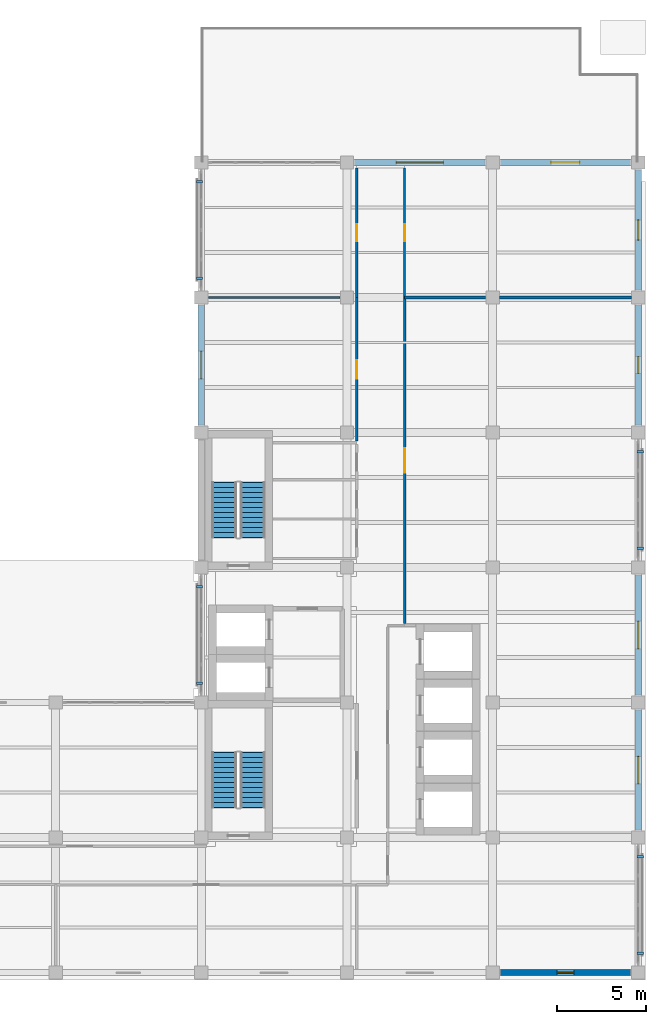
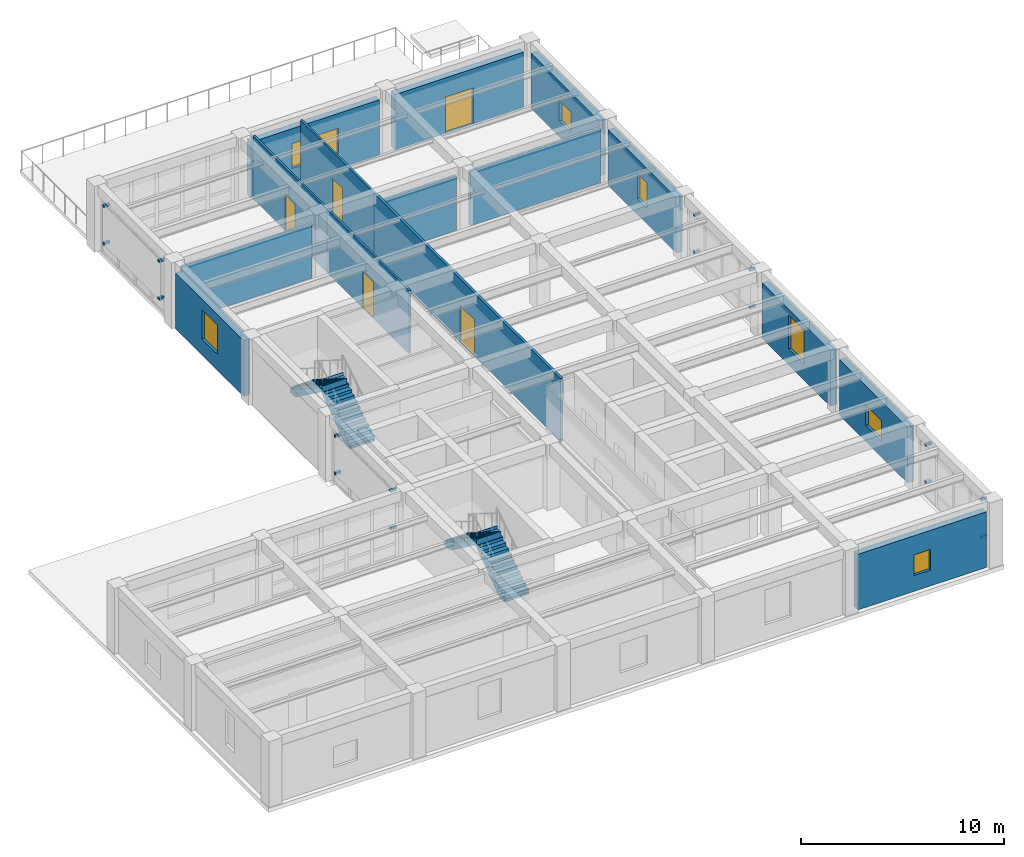
# One storey, part 8 of 12: 16 discrete accessories, 15 walls, 7 windows, 5 doors, 4 stair flights, 12 openings, 2 elements without a shape of their own.
"""IFC4 building model written with IfcOpenShell, lengths in metres."""

import ifcopenshell
import ifcopenshell.guid

model = None  # the IFC model being written
_history = None  # IfcOwnerHistory: only IFC2X3 demands one
_inside = {}  # id of a spatial element -> (the spatial element, [elements in it])
_under = {}  # id of a project, library or spatial element -> (it, [spatial elements below it])
_declared = {}  # id of a project -> (the project, [libraries it declares])
_typed = {}  # id of a type object -> (the type object, [elements of that type])
_made_of = {}  # id of a material, layer set ... -> (it, [elements and type objects made of it])


def new_model(schema):
    """Start an empty IFC model of exactly this schema.

    Asked for "IFC4X3", IfcOpenShell would pick the latest addendum, in which some entities
    have other attributes; the version numbers below select the first issue.
    IFC2X3 requires an IfcOwnerHistory on every rooted entity: one is made here for all.
    """
    global model, _history
    if schema == "IFC4X3":
        model = ifcopenshell.file(schema_version=(4, 3, 0, 0))
    else:
        model = ifcopenshell.file(schema=schema)
    _inside.clear()
    _under.clear()
    _declared.clear()
    _typed.clear()
    _made_of.clear()
    _history = None
    if model.schema == "IFC2X3":
        org = make("IfcOrganization", Name="unknown")
        user = make(
            "IfcPersonAndOrganization",
            ThePerson=make("IfcPerson", FamilyName="unknown"),
            TheOrganization=org,
        )
        app = make(
            "IfcApplication",
            ApplicationDeveloper=org,
            Version="unknown",
            ApplicationFullName="unknown",
            ApplicationIdentifier="unknown",
        )
        _history = make(
            "IfcOwnerHistory",
            OwningUser=user,
            OwningApplication=app,
            ChangeAction="ADDED",
            CreationDate=0,
        )
    return model


def make(cls, **values):
    """One entity of the class cls with the attributes given. An attribute that is None is left unset."""
    return model.create_entity(
        cls, **{name: value for name, value in values.items() if value is not None}
    )


def rooted(cls, **values):
    """An entity with a GlobalId (a new one), such as an element, a storey or a relation."""
    return make(cls, GlobalId=ifcopenshell.guid.new(), OwnerHistory=_history, **values)


def si_unit(unit_type, name, prefix=None):
    """IfcSIUnit, for example si_unit("LENGTHUNIT", "METRE", prefix="MILLI")."""
    return make("IfcSIUnit", UnitType=unit_type, Prefix=prefix, Name=name)


def assignment(units):
    """IfcUnitAssignment: the units of a project."""
    return None if units is None else make("IfcUnitAssignment", Units=units)


def point(xyz):
    """IfcCartesianPoint."""
    return None if xyz is None else make("IfcCartesianPoint", Coordinates=xyz)


def direction(xyz):
    """IfcDirection."""
    return None if xyz is None else make("IfcDirection", DirectionRatios=xyz)


def frame(location, z_axis=None, x_axis=None):
    """IfcAxis2Placement3D, a coordinate frame: its origin and axes. An axis left out is left unset."""
    return make(
        "IfcAxis2Placement3D",
        Location=point(location),
        Axis=direction(z_axis),
        RefDirection=direction(x_axis),
    )


def frame_2d(location, x_axis=None):
    """IfcAxis2Placement2D, a coordinate frame in the plane: its origin and x axis."""
    return make(
        "IfcAxis2Placement2D", Location=point(location), RefDirection=direction(x_axis)
    )


def origin():
    """The frame at (0, 0, 0) with its axes left unset."""
    return frame((0.0, 0.0, 0.0))


def origin_2d():
    """The frame at (0, 0) in the plane with its x axis left unset."""
    return frame_2d((0.0, 0.0))


def place(relative_to, where):
    """IfcLocalPlacement: puts the frame where relative to a parent placement (None: the world)."""
    return make(
        "IfcLocalPlacement", PlacementRelTo=relative_to, RelativePlacement=where
    )


def context(
    kind, dimensions, precision=None, world=None, true_north=None, identifier=None
):
    """IfcGeometricRepresentationContext, for example the 3D "Model" context."""
    return make(
        "IfcGeometricRepresentationContext",
        ContextIdentifier=identifier,
        ContextType=kind,
        CoordinateSpaceDimension=dimensions,
        Precision=precision,
        WorldCoordinateSystem=world,
        TrueNorth=true_north,
    )


def subcontext(parent, identifier, kind, view, scale=None):
    """IfcGeometricRepresentationSubContext, for example "Body" below "Model"."""
    return make(
        "IfcGeometricRepresentationSubContext",
        ContextIdentifier=identifier,
        ContextType=kind,
        ParentContext=parent,
        TargetScale=scale,
        TargetView=view,
    )


def project(units=None, contexts=None):
    """IfcProject with its units and contexts."""
    return rooted(
        "IfcProject",
        Name="project",
        RepresentationContexts=contexts,
        UnitsInContext=assignment(units),
    )


def spatial(cls, under=None, at=None, **own):
    """A site, building, storey or space (cls), placed at a placement, below another one or the project."""
    s = rooted(cls, ObjectPlacement=at, **own)
    if under is not None:
        _under.setdefault(under.id(), (under, []))[1].append(s)
    return s


def polyline(points):
    """IfcPolyline through the points."""
    return make("IfcPolyline", Points=[point(p) for p in points])


def profile(cls, at=None, kind="AREA", **sizes):
    """A parametric profile (cls). Its sizes go by their IFC names, for example OverallWidth=200.0."""
    return make(cls, ProfileType=kind, Position=at, **sizes)


def rectangle(**sizes):
    """IfcRectangleProfileDef."""
    return profile("IfcRectangleProfileDef", **sizes)


def outline(outer, holes=None, kind="AREA"):
    """IfcArbitraryClosedProfileDef: a profile drawn as a closed curve; with holes, ...WithVoids."""
    if holes is None:
        return make("IfcArbitraryClosedProfileDef", ProfileType=kind, OuterCurve=outer)
    return make(
        "IfcArbitraryProfileDefWithVoids",
        ProfileType=kind,
        OuterCurve=outer,
        InnerCurves=holes,
    )


def extrude(swept, where, along, depth):
    """IfcExtrudedAreaSolid: the profile swept, set in the frame where, extruded along a direction by depth."""
    return make(
        "IfcExtrudedAreaSolid",
        SweptArea=swept,
        Position=where,
        ExtrudedDirection=direction(along),
        Depth=depth,
    )


def shape(context_of_items, identifier, shape_type, items):
    """IfcShapeRepresentation: the items that make up one representation, for example the "Body"."""
    return make(
        "IfcShapeRepresentation",
        ContextOfItems=context_of_items,
        RepresentationIdentifier=identifier,
        RepresentationType=shape_type,
        Items=items,
    )


def material(Name=None, Category=None):
    """IfcMaterial."""
    return make("IfcMaterial", Name=Name, Category=Category)


def layer(
    of_material, thickness, ventilated=None, Name=None, Category=None, Priority=None
):
    """IfcMaterialLayer: one layer of a wall or slab, of a material (None: an air gap)."""
    return make(
        "IfcMaterialLayer",
        Material=of_material,
        LayerThickness=thickness,
        IsVentilated=ventilated,
        Name=Name,
        Category=Category,
        Priority=Priority,
    )


def layer_set(layers, Name=None):
    """IfcMaterialLayerSet."""
    return make("IfcMaterialLayerSet", MaterialLayers=layers, LayerSetName=Name)


def made_of(thing, what):
    """Note that an element or type object is made of a material, layer set ...; save() writes the relation."""
    if what is not None:
        _made_of.setdefault(what.id(), (what, []))[1].append(thing)
    return thing


def type_object(cls, material=None, **own):
    """A type object (cls), such as IfcWallType, which elements share."""
    return made_of(rooted(cls, **own), material)


def element(
    cls,
    number,
    at=None,
    inside=None,
    cuts=None,
    type_object=None,
    material=None,
    context=None,
    identifier="Body",
    shape_type=None,
    held_by="IfcProductDefinitionShape",
    body=None,
    shapes=None,
    **own,
):
    """One element of the class cls, such as IfcWall. Its Tag is "e" and its number.

    at: its placement. inside: the storey or other place that contains it. cuts: it is an
    opening in that element (IfcRelVoidsElement). A single representation is given by context,
    identifier, shape_type and body (its items); several are given by shapes. held_by: the class
    of the entity that holds the representations. save() writes the other relations.
    """
    e = rooted(cls, Tag="e%d" % number, ObjectPlacement=at, **own)
    if body is not None:
        shapes = [shape(context, identifier, shape_type, body)]
    if shapes is not None:
        e.Representation = make(held_by, Representations=shapes)
    if inside is not None:
        _inside.setdefault(inside.id(), (inside, []))[1].append(e)
    if cuts is not None:
        rooted(
            "IfcRelVoidsElement", RelatingBuildingElement=cuts, RelatedOpeningElement=e
        )
    if type_object is not None:
        _typed.setdefault(type_object.id(), (type_object, []))[1].append(e)
    return made_of(e, material)


def fill(opening, filler):
    """IfcRelFillsElement: the door or window that sits in an opening."""
    return rooted(
        "IfcRelFillsElement",
        RelatingOpeningElement=opening,
        RelatedBuildingElement=filler,
    )


def aggregate(whole, parts):
    """IfcRelAggregates: a whole, such as a stair, and the parts it consists of."""
    return rooted("IfcRelAggregates", RelatingObject=whole, RelatedObjects=parts)


def save(model, path):
    """Write the relations noted so far, then the file.

    IfcRelAggregates (storeys below a building ...), IfcRelContainedInSpatialStructure (elements
    in a storey), IfcRelDefinesByType, IfcRelAssociatesMaterial and IfcRelDeclares: one each for
    every whole, place, type object, material and project.
    """
    for whole, parts in _under.values():
        aggregate(whole, parts)
    for where, things in _inside.values():
        rooted(
            "IfcRelContainedInSpatialStructure",
            RelatedElements=things,
            RelatingStructure=where,
        )
    for kind, things in _typed.values():
        rooted("IfcRelDefinesByType", RelatedObjects=things, RelatingType=kind)
    for what, things in _made_of.values():
        rooted("IfcRelAssociatesMaterial", RelatedObjects=things, RelatingMaterial=what)
    for by, libraries in _declared.values():
        rooted("IfcRelDeclares", RelatingContext=by, RelatedDefinitions=libraries)
    model.write(path)


model = new_model("IFC4")

# Units and contexts
model_context = context("Model", 3, precision=1e-05, world=origin(), true_north=direction((0.0, 1.0)))
body_context = subcontext(model_context, "Body", "Model", "MODEL_VIEW")
ifc_project = project(units=[si_unit("LENGTHUNIT", "METRE"), si_unit("AREAUNIT", "SQUARE_METRE"), si_unit("VOLUMEUNIT", "CUBIC_METRE"), si_unit("PLANEANGLEUNIT", "RADIAN"), si_unit("MASSUNIT", "GRAM", prefix="KILO")], contexts=[model_context])

# Site, building, storey
site_placement = place(None, origin())
site = spatial("IfcSite", under=ifc_project, at=site_placement, CompositionType="ELEMENT")
building_placement = place(site_placement, origin())
building = spatial("IfcBuilding", under=site, at=building_placement, Name="Qandaris Square Conservatory and Botanical Centre", CompositionType="ELEMENT")
storey_placement = place(building_placement, frame((0.0, 0.0, 53.39990234375)))
storey = spatial("IfcBuildingStorey", under=building, at=storey_placement, Name="L12", CompositionType="ELEMENT", Elevation=53.39990234375)

# Wall, opening, door
ifc_material_1 = material(Name="Gypsum Plasterboard", Category="gypsum")
ifc_layer_1 = layer(ifc_material_1, 0.14990234375)
ifc_layer_set_1 = layer_set([ifc_layer_1], Name="Gypsum Plasterboard")
wall_type_1 = type_object("IfcWallType", Name="Acoustic Laboratory Partition 150mm", PredefinedType="PARTITIONING", material=ifc_layer_set_1)
wall_1_placement = place(storey_placement, frame((150.64990234375, 54.60009765625, 0.0), z_axis=(0.0, 0.0, 1.0), x_axis=(0.0, -1.0, 0.0)))
wall_1 = element("IfcWall", 1, at=wall_1_placement, inside=storey, type_object=wall_type_1, Name="Interior Partition IW-L12-0406", PredefinedType="PARTITIONING", context=body_context, shape_type="SweptSolid", body=[
    extrude(rectangle(XDim=18.35009765625, YDim=0.14990234375, at=frame_2d((9.175048828125, 0.0))), origin(), (0.0, 0.0, 1.0), 3.80517578125),
])
opening_1_placement = place(wall_1_placement, frame((8.47509765625, 0.0, 0.0)))
opening_1 = element("IfcOpeningElement", 2, at=opening_1_placement, cuts=wall_1, Name="Opening D-LAB1", PredefinedType="OPENING", context=body_context, shape_type="SweptSolid", body=[
    extrude(rectangle(XDim=1.39990234375, YDim=2.199951171875, at=frame_2d((0.699951171875, 1.10009765625))), frame((0.0, 0.0869140625, 0.0), z_axis=(0.0, -1.0, 0.0), x_axis=(1.0, 0.0, 0.0)), (0.0, 0.0, 1.0), 0.173828125),
])
ifc_material_2 = material(Name="Engineered Oak Timber", Category="wood")
door_type_1 = type_object("IfcDoorType", Name="Research Laboratory Leaf-and-Half Door 1400x2200", OperationType="DOUBLE_DOOR_SINGLE_SWING", PredefinedType="DOOR", material=ifc_material_2)
door_1_placement = place(opening_1_placement, frame((1.39990234375, 0.0, 0.0), z_axis=(0.0, 0.0, 1.0), x_axis=(-1.0, 0.0, 0.0)))
door_1 = element("IfcDoor", 3, at=door_1_placement, inside=storey, type_object=door_type_1, Name="DR-0363 Molecular Plant Biology Analytical Laboratory Door", OperationType="DOUBLE_DOOR_SINGLE_SWING", OverallHeight=2.199951171875, OverallWidth=1.39990234375, PredefinedType="DOOR", context=body_context, shape_type="SweptSolid", body=[
    extrude(rectangle(XDim=1.39990234375, YDim=2.199951171875, at=frame_2d((0.699951171875, 1.10009765625))), frame((0.0, 0.02490234375, 0.0), z_axis=(0.0, -1.0, 0.0), x_axis=(1.0, 0.0, 0.0)), (0.0, 0.0, 1.0), 0.050048828125),
])
fill(opening_1, door_1)

# Walls
wall_2_placement = place(storey_placement, frame((150.64990234375, 54.60009765625, 0.0), z_axis=(0.0, 0.0, 1.0), x_axis=(1.0, 0.0, 0.0)))
element("IfcWall", 4, at=wall_2_placement, inside=storey, type_object=wall_type_1, Name="Interior Partition IW-L12-0413", PredefinedType="PARTITIONING", context=body_context, shape_type="SweptSolid", body=[
    extrude(rectangle(XDim=4.55517578125, YDim=0.14990234375, at=frame_2d((2.277587890625, 0.0))), origin(), (0.0, 0.0, 1.0), 3.295166015625),
])
wall_3_placement = place(storey_placement, frame((155.9951171875, 54.60009765625, 0.0), z_axis=(0.0, 0.0, 1.0), x_axis=(1.0, 0.0, 0.0)))
element("IfcWall", 5, at=wall_3_placement, inside=storey, type_object=wall_type_1, Name="Interior Partition IW-L12-0414", PredefinedType="PARTITIONING", context=body_context, shape_type="SweptSolid", body=[
    extrude(rectangle(XDim=7.409912109375, YDim=0.14990234375, at=frame_2d((3.705078125, 0.0))), origin(), (0.0, 0.0, 1.0), 3.295166015625),
])

# Wall, opening, window
ifc_material_3 = material(Name="Precast concrete C40/50", Category="concrete")
ifc_layer_2 = layer(ifc_material_3, 0.360107421875)
ifc_layer_set_2 = layer_set([ifc_layer_2], Name="Precast concrete C40/50")
wall_type_2 = type_object("IfcWallType", Name="Architectural Precast Cladding Wall 360mm", PredefinedType="SOLIDWALL", material=ifc_layer_set_2)
wall_4_placement = place(storey_placement, frame((156.034912109375, 16.60009765625, 0.0), z_axis=(0.0, 0.0, 1.0), x_axis=(1.0, 0.0, 0.0)))
wall_4 = element("IfcWall", 6, at=wall_4_placement, inside=storey, type_object=wall_type_2, Name="Exterior Wall EW-TWR-L12-1-5", PredefinedType="SOLIDWALL", context=body_context, shape_type="SweptSolid", body=[
    extrude(rectangle(XDim=7.330078125, YDim=0.360107421875, at=frame_2d((3.6650390625, 0.0))), origin(), (0.0, 0.0, 1.0), 3.34521484375),
])
opening_2_placement = place(wall_4_placement, frame((3.18994140625, 0.0, 0.949951171875)))
opening_2 = element("IfcOpeningElement", 7, at=opening_2_placement, cuts=wall_4, Name="Opening WN-13", PredefinedType="OPENING", context=body_context, shape_type="SweptSolid", body=[
    extrude(rectangle(XDim=0.949951171875, YDim=1.25, at=frame_2d((0.47509765625, 0.625))), frame((0.0, 0.19189453125, 0.0), z_axis=(0.0, -1.0, 0.0), x_axis=(1.0, 0.0, 0.0)), (0.0, 0.0, 1.0), 0.384033203125),
])
ifc_material_4 = material(Name="Tempered Low-E Glass", Category="glass")
window_type_1 = type_object("IfcWindowType", Name="Solar Control Window 950x1250", PartitioningType="SINGLE_PANEL", PredefinedType="WINDOW", material=ifc_material_4)
window_1_placement = place(opening_2_placement, origin())
window_1 = element("IfcWindow", 8, at=window_1_placement, inside=storey, type_object=window_type_1, Name="Window EW-TWR-L12-1-5", OverallHeight=1.25, OverallWidth=0.949951171875, PartitioningType="SINGLE_PANEL", PredefinedType="WINDOW", context=body_context, shape_type="SweptSolid", body=[
    extrude(rectangle(XDim=0.949951171875, YDim=1.25, at=frame_2d((0.47509765625, 0.625))), frame((0.0, 0.030029296875, 0.0), z_axis=(0.0, -1.0, 0.0), x_axis=(1.0, 0.0, 0.0)), (0.0, 0.0, 1.0), 0.06005859375),
])
fill(opening_2, window_1)

wall_5_placement = place(storey_placement, frame((163.800048828125, 24.635009765625, 0.0), z_axis=(0.0, 0.0, 1.0), x_axis=(0.0, 1.0, 0.0)))
wall_5 = element("IfcWall", 9, at=wall_5_placement, inside=storey, type_object=wall_type_2, Name="Exterior Wall EW-TWR-L12-2-2", PredefinedType="SOLIDWALL", context=body_context, shape_type="SweptSolid", body=[
    extrude(rectangle(XDim=6.72998046875, YDim=0.360107421875, at=frame_2d((3.364990234375, 0.0))), origin(), (0.0, 0.0, 1.0), 3.34521484375),
])
opening_3_placement = place(wall_5_placement, frame((2.590087890625, 0.0, 0.949951171875)))
opening_3 = element("IfcOpeningElement", 10, at=opening_3_placement, cuts=wall_5, Name="Opening WN-25", PredefinedType="OPENING", context=body_context, shape_type="SweptSolid", body=[
    extrude(rectangle(XDim=1.550048828125, YDim=1.25, at=frame_2d((0.77490234375, 0.625))), frame((0.0, 0.19189453125, 0.0), z_axis=(0.0, -1.0, 0.0), x_axis=(1.0, 0.0, 0.0)), (0.0, 0.0, 1.0), 0.384033203125),
])
window_type_2 = type_object("IfcWindowType", Name="Solar Control Window 1550x1250", PartitioningType="DOUBLE_PANEL_VERTICAL", PredefinedType="WINDOW", material=ifc_material_4)
window_2_placement = place(opening_3_placement, origin())
window_2 = element("IfcWindow", 11, at=window_2_placement, inside=storey, type_object=window_type_2, Name="Window EW-TWR-L12-2-2", OverallHeight=1.25, OverallWidth=1.550048828125, PartitioningType="DOUBLE_PANEL_VERTICAL", PredefinedType="WINDOW", context=body_context, shape_type="SweptSolid", body=[
    extrude(rectangle(XDim=1.550048828125, YDim=1.25, at=frame_2d((0.77490234375, 0.625))), frame((0.0, 0.030029296875, 0.0), z_axis=(0.0, -1.0, 0.0), x_axis=(1.0, 0.0, 0.0)), (0.0, 0.0, 1.0), 0.06005859375),
])
fill(opening_3, window_2)

wall_6_placement = place(storey_placement, frame((163.800048828125, 32.235107421875, 0.0), z_axis=(0.0, 0.0, 1.0), x_axis=(0.0, 1.0, 0.0)))
wall_6 = element("IfcWall", 12, at=wall_6_placement, inside=storey, type_object=wall_type_2, Name="Exterior Wall EW-TWR-L12-2-3", PredefinedType="SOLIDWALL", context=body_context, shape_type="SweptSolid", body=[
    extrude(rectangle(XDim=6.72998046875, YDim=0.360107421875, at=frame_2d((3.364990234375, 0.0))), origin(), (0.0, 0.0, 1.0), 3.34521484375),
])
opening_4_placement = place(wall_6_placement, frame((2.590087890625, 0.0, 0.949951171875)))
opening_4 = element("IfcOpeningElement", 13, at=opening_4_placement, cuts=wall_6, Name="Opening WN-28", PredefinedType="OPENING", context=body_context, shape_type="SweptSolid", body=[
    extrude(rectangle(XDim=1.550048828125, YDim=2.050048828125, at=frame_2d((0.77490234375, 1.02490234375))), frame((0.0, 0.19189453125, 0.0), z_axis=(0.0, -1.0, 0.0), x_axis=(1.0, 0.0, 0.0)), (0.0, 0.0, 1.0), 0.384033203125),
])
window_type_3 = type_object("IfcWindowType", Name="Solar Control Window 1550x2050", PartitioningType="DOUBLE_PANEL_VERTICAL", PredefinedType="WINDOW", material=ifc_material_4)
window_3_placement = place(opening_4_placement, origin())
window_3 = element("IfcWindow", 14, at=window_3_placement, inside=storey, type_object=window_type_3, Name="Window EW-TWR-L12-2-3", OverallHeight=2.050048828125, OverallWidth=1.550048828125, PartitioningType="DOUBLE_PANEL_VERTICAL", PredefinedType="WINDOW", context=body_context, shape_type="SweptSolid", body=[
    extrude(rectangle(XDim=1.550048828125, YDim=2.050048828125, at=frame_2d((0.77490234375, 1.02490234375))), frame((0.0, 0.030029296875, 0.0), z_axis=(0.0, -1.0, 0.0), x_axis=(1.0, 0.0, 0.0)), (0.0, 0.0, 1.0), 0.06005859375),
])
fill(opening_4, window_3)

wall_7_placement = place(storey_placement, frame((163.800048828125, 47.43505859375, 0.0), z_axis=(0.0, 0.0, 1.0), x_axis=(0.0, 1.0, 0.0)))
wall_7 = element("IfcWall", 15, at=wall_7_placement, inside=storey, type_object=wall_type_2, Name="Exterior Wall EW-TWR-L12-2-5", PredefinedType="SOLIDWALL", context=body_context, shape_type="SweptSolid", body=[
    extrude(rectangle(XDim=6.72998046875, YDim=0.360107421875, at=frame_2d((3.364990234375, 0.0))), origin(), (0.0, 0.0, 1.0), 3.34521484375),
])
opening_5_placement = place(wall_7_placement, frame((2.889892578125, 0.0, 0.949951171875)))
opening_5 = element("IfcOpeningElement", 16, at=opening_5_placement, cuts=wall_7, Name="Opening WN-14", PredefinedType="OPENING", context=body_context, shape_type="SweptSolid", body=[
    extrude(rectangle(XDim=0.949951171875, YDim=1.5, at=frame_2d((0.47509765625, 0.75))), frame((0.0, 0.19189453125, 0.0), z_axis=(0.0, -1.0, 0.0), x_axis=(1.0, 0.0, 0.0)), (0.0, 0.0, 1.0), 0.384033203125),
])
window_type_4 = type_object("IfcWindowType", Name="Solar Control Window 950x1500", PartitioningType="SINGLE_PANEL", PredefinedType="WINDOW", material=ifc_material_4)
window_4_placement = place(opening_5_placement, origin())
window_4 = element("IfcWindow", 17, at=window_4_placement, inside=storey, type_object=window_type_4, Name="Window EW-TWR-L12-2-5", OverallHeight=1.5, OverallWidth=0.949951171875, PartitioningType="SINGLE_PANEL", PredefinedType="WINDOW", context=body_context, shape_type="SweptSolid", body=[
    extrude(rectangle(XDim=0.949951171875, YDim=1.5, at=frame_2d((0.47509765625, 0.75))), frame((0.0, 0.030029296875, 0.0), z_axis=(0.0, -1.0, 0.0), x_axis=(1.0, 0.0, 0.0)), (0.0, 0.0, 1.0), 0.06005859375),
])
fill(opening_5, window_4)

wall_8_placement = place(storey_placement, frame((163.800048828125, 55.034912109375, 0.0), z_axis=(0.0, 0.0, 1.0), x_axis=(0.0, 1.0, 0.0)))
wall_8 = element("IfcWall", 18, at=wall_8_placement, inside=storey, type_object=wall_type_2, Name="Exterior Wall EW-TWR-L12-2-6", PredefinedType="SOLIDWALL", context=body_context, shape_type="SweptSolid", body=[
    extrude(rectangle(XDim=6.72998046875, YDim=0.360107421875, at=frame_2d((3.364990234375, 0.0))), origin(), (0.0, 0.0, 1.0), 3.34521484375),
])
opening_6_placement = place(wall_8_placement, frame((2.7900390625, 0.0, 0.949951171875)))
opening_6 = element("IfcOpeningElement", 19, at=opening_6_placement, cuts=wall_8, Name="Opening WN-17", PredefinedType="OPENING", context=body_context, shape_type="SweptSolid", body=[
    extrude(rectangle(XDim=1.14990234375, YDim=1.25, at=frame_2d((0.574951171875, 0.625))), frame((0.0, 0.19189453125, 0.0), z_axis=(0.0, -1.0, 0.0), x_axis=(1.0, 0.0, 0.0)), (0.0, 0.0, 1.0), 0.384033203125),
])
window_type_5 = type_object("IfcWindowType", Name="Solar Control Window 1150x1250", PartitioningType="SINGLE_PANEL", PredefinedType="WINDOW", material=ifc_material_4)
window_5_placement = place(opening_6_placement, origin())
window_5 = element("IfcWindow", 20, at=window_5_placement, inside=storey, type_object=window_type_5, Name="Window EW-TWR-L12-2-6", OverallHeight=1.25, OverallWidth=1.14990234375, PartitioningType="SINGLE_PANEL", PredefinedType="WINDOW", context=body_context, shape_type="SweptSolid", body=[
    extrude(rectangle(XDim=1.14990234375, YDim=1.25, at=frame_2d((0.574951171875, 0.625))), frame((0.0, 0.030029296875, 0.0), z_axis=(0.0, -1.0, 0.0), x_axis=(1.0, 0.0, 0.0)), (0.0, 0.0, 1.0), 0.06005859375),
])
fill(opening_6, window_5)

# Wall, opening, door
wall_9_placement = place(storey_placement, frame((163.364990234375, 62.199951171875, 0.0), z_axis=(0.0, 0.0, 1.0), x_axis=(-1.0, 0.0, 0.0)))
wall_9 = element("IfcWall", 21, at=wall_9_placement, inside=storey, type_object=wall_type_2, Name="Exterior Wall EW-TWR-L12-3-1", PredefinedType="SOLIDWALL", context=body_context, shape_type="SweptSolid", body=[
    extrude(rectangle(XDim=7.330078125, YDim=0.360107421875, at=frame_2d((3.6650390625, 0.0))), origin(), (0.0, 0.0, 1.0), 3.34521484375),
])
opening_7_placement = place(wall_9_placement, frame((2.864990234375, 0.0, 0.0)))
opening_7 = element("IfcOpeningElement", 22, at=opening_7_placement, cuts=wall_9, Name="Opening ED-T4", PredefinedType="OPENING", context=body_context, shape_type="SweptSolid", body=[
    extrude(rectangle(XDim=1.60009765625, YDim=2.199951171875, at=frame_2d((0.800048828125, 1.10009765625))), frame((0.0, 0.19189453125, 0.0), z_axis=(0.0, -1.0, 0.0), x_axis=(1.0, 0.0, 0.0)), (0.0, 0.0, 1.0), 0.384033203125),
])
ifc_material_5 = material(Name="Anodised Aluminium", Category="aluminium")
door_type_2 = type_object("IfcDoorType", Name="Terrace Garden Glazed Access Door 1600x2200", OperationType="DOUBLE_DOOR_SINGLE_SWING", PredefinedType="DOOR", material=ifc_material_5)
door_2_placement = place(opening_7_placement, frame((1.60009765625, 0.0, 0.0), z_axis=(0.0, 0.0, 1.0), x_axis=(-1.0, 0.0, 0.0)))
door_2 = element("IfcDoor", 23, at=door_2_placement, inside=storey, type_object=door_type_2, Name="DR-0376 Exterior Exit Door TD-TER-L12", OperationType="DOUBLE_DOOR_SINGLE_SWING", OverallHeight=2.199951171875, OverallWidth=1.60009765625, PredefinedType="DOOR", context=body_context, shape_type="SweptSolid", body=[
    extrude(rectangle(XDim=1.60009765625, YDim=2.199951171875, at=frame_2d((0.800048828125, 1.10009765625))), frame((0.0, 0.02490234375, 0.0), z_axis=(0.0, -1.0, 0.0), x_axis=(1.0, 0.0, 0.0)), (0.0, 0.0, 1.0), 0.050048828125),
])
fill(opening_7, door_2)

# Wall, opening, window
wall_10_placement = place(storey_placement, frame((155.1650390625, 62.199951171875, 0.0), z_axis=(0.0, 0.0, 1.0), x_axis=(-1.0, 0.0, 0.0)))
wall_10 = element("IfcWall", 24, at=wall_10_placement, inside=storey, type_object=wall_type_2, Name="Exterior Wall EW-TWR-L12-3-2", PredefinedType="SOLIDWALL", context=body_context, shape_type="SweptSolid", body=[
    extrude(rectangle(XDim=7.330078125, YDim=0.360107421875, at=frame_2d((3.6650390625, 0.0))), origin(), (0.0, 0.0, 1.0), 3.34521484375),
])
opening_8_placement = place(wall_10_placement, frame((2.340087890625, 0.0, 0.949951171875)))
opening_8 = element("IfcOpeningElement", 25, at=opening_8_placement, cuts=wall_10, Name="Opening WN-42", PredefinedType="OPENING", context=body_context, shape_type="SweptSolid", body=[
    extrude(rectangle(XDim=2.64990234375, YDim=1.5, at=frame_2d((1.324951171875, 0.75))), frame((0.0, 0.19189453125, 0.0), z_axis=(0.0, -1.0, 0.0), x_axis=(1.0, 0.0, 0.0)), (0.0, 0.0, 1.0), 0.384033203125),
])
window_type_6 = type_object("IfcWindowType", Name="Solar Control Window 2650x1500", PartitioningType="DOUBLE_PANEL_VERTICAL", PredefinedType="WINDOW", material=ifc_material_4)
window_6_placement = place(opening_8_placement, origin())
window_6 = element("IfcWindow", 26, at=window_6_placement, inside=storey, type_object=window_type_6, Name="Window EW-TWR-L12-3-2", OverallHeight=1.5, OverallWidth=2.64990234375, PartitioningType="DOUBLE_PANEL_VERTICAL", PredefinedType="WINDOW", context=body_context, shape_type="SweptSolid", body=[
    extrude(rectangle(XDim=2.64990234375, YDim=1.5, at=frame_2d((1.324951171875, 0.75))), frame((0.0, 0.030029296875, 0.0), z_axis=(0.0, -1.0, 0.0), x_axis=(1.0, 0.0, 0.0)), (0.0, 0.0, 1.0), 0.06005859375),
])
fill(opening_8, window_6)

wall_11_placement = place(storey_placement, frame((139.199951171875, 54.1650390625, 0.0), z_axis=(0.0, 0.0, 1.0), x_axis=(0.0, -1.0, 0.0)))
wall_11 = element("IfcWall", 27, at=wall_11_placement, inside=storey, type_object=wall_type_2, Name="Exterior Wall EW-TWR-L12-4-2", PredefinedType="SOLIDWALL", context=body_context, shape_type="SweptSolid", body=[
    extrude(rectangle(XDim=6.72998046875, YDim=0.360107421875, at=frame_2d((3.364990234375, 0.0))), origin(), (0.0, 0.0, 1.0), 3.34521484375),
])
opening_9_placement = place(wall_11_placement, frame((2.590087890625, 0.0, 0.949951171875)))
opening_9 = element("IfcOpeningElement", 28, at=opening_9_placement, cuts=wall_11, Name="Opening WN-27", PredefinedType="OPENING", context=body_context, shape_type="SweptSolid", body=[
    extrude(rectangle(XDim=1.550048828125, YDim=1.75, at=frame_2d((0.77490234375, 0.875))), frame((0.0, 0.19189453125, 0.0), z_axis=(0.0, -1.0, 0.0), x_axis=(1.0, 0.0, 0.0)), (0.0, 0.0, 1.0), 0.384033203125),
])
window_type_7 = type_object("IfcWindowType", Name="Solar Control Window 1550x1750", PartitioningType="DOUBLE_PANEL_VERTICAL", PredefinedType="WINDOW", material=ifc_material_4)
window_7_placement = place(opening_9_placement, origin())
window_7 = element("IfcWindow", 29, at=window_7_placement, inside=storey, type_object=window_type_7, Name="Window EW-TWR-L12-4-2", OverallHeight=1.75, OverallWidth=1.550048828125, PartitioningType="DOUBLE_PANEL_VERTICAL", PredefinedType="WINDOW", context=body_context, shape_type="SweptSolid", body=[
    extrude(rectangle(XDim=1.550048828125, YDim=1.75, at=frame_2d((0.77490234375, 0.875))), frame((0.0, 0.030029296875, 0.0), z_axis=(0.0, -1.0, 0.0), x_axis=(1.0, 0.0, 0.0)), (0.0, 0.0, 1.0), 0.06005859375),
])
fill(opening_9, window_7)

# Wall, opening, door
ifc_layer_3 = layer(ifc_material_1, 0.1201171875)
ifc_layer_set_3 = layer_set([ifc_layer_3], Name="Gypsum Plasterboard")
wall_type_3 = type_object("IfcWallType", Name="Standard Research Partition 120mm", PredefinedType="PARTITIONING", material=ifc_layer_set_3)
wall_12_placement = place(storey_placement, frame((147.949951171875, 46.510009765625, 0.0), z_axis=(0.0, 0.0, 1.0), x_axis=(0.0, 1.0, 0.0)))
wall_12 = element("IfcWall", 30, at=wall_12_placement, inside=storey, type_object=wall_type_3, Name="Interior Partition IW-L12-0407", PredefinedType="PARTITIONING", context=body_context, shape_type="SweptSolid", body=[
    extrude(rectangle(XDim=8.090087890625, YDim=0.1201171875, at=frame_2d((4.044921875, 0.0))), origin(), (0.0, 0.0, 1.0), 3.80517578125),
])
opening_10_placement = place(wall_12_placement, frame((3.52001953125, 0.0, 0.0)))
opening_10 = element("IfcOpeningElement", 31, at=opening_10_placement, cuts=wall_12, Name="Opening D-LAB2", PredefinedType="OPENING", context=body_context, shape_type="SweptSolid", body=[
    extrude(rectangle(XDim=1.050048828125, YDim=2.199951171875, at=frame_2d((0.52490234375, 1.10009765625))), frame((0.0, 0.072021484375, 0.0), z_axis=(0.0, -1.0, 0.0), x_axis=(1.0, 0.0, 0.0)), (0.0, 0.0, 1.0), 0.14404296875),
])
door_type_3 = type_object("IfcDoorType", Name="Analytical Laboratory Single Door 1050x2200", OperationType="NOTDEFINED", PredefinedType="DOOR", material=ifc_material_2)
door_3_placement = place(opening_10_placement, origin())
door_3 = element("IfcDoor", 32, at=door_3_placement, inside=storey, type_object=door_type_3, Name="DR-0367 Cell Wall Biophysics Specimen Prep Room Door", OperationType="SINGLE_SWING_LEFT", OverallHeight=2.199951171875, OverallWidth=1.050048828125, PredefinedType="DOOR", context=body_context, shape_type="SweptSolid", body=[
    extrude(rectangle(XDim=1.050048828125, YDim=2.199951171875, at=frame_2d((0.52490234375, 1.10009765625))), frame((0.0, 0.02490234375, 0.0), z_axis=(0.0, -1.0, 0.0), x_axis=(1.0, 0.0, 0.0)), (0.0, 0.0, 1.0), 0.050048828125),
])
fill(opening_10, door_3)

wall_13_placement = place(storey_placement, frame((147.949951171875, 54.60009765625, 0.0), z_axis=(0.0, 0.0, 1.0), x_axis=(0.0, 1.0, 0.0)))
wall_13 = element("IfcWall", 33, at=wall_13_placement, inside=storey, type_object=wall_type_3, Name="Interior Partition IW-L12-0408", PredefinedType="PARTITIONING", context=body_context, shape_type="SweptSolid", body=[
    extrude(rectangle(XDim=7.2998046875, YDim=0.1201171875, at=frame_2d((3.64990234375, 0.0))), origin(), (0.0, 0.0, 1.0), 3.80517578125),
])
opening_11_placement = place(wall_13_placement, frame((3.175048828125, 0.0, 0.0)))
opening_11 = element("IfcOpeningElement", 34, at=opening_11_placement, cuts=wall_13, Name="Opening D-OFF1", PredefinedType="OPENING", context=body_context, shape_type="SweptSolid", body=[
    extrude(rectangle(XDim=0.949951171875, YDim=2.199951171875, at=frame_2d((0.47509765625, 1.10009765625))), frame((0.0, 0.072021484375, 0.0), z_axis=(0.0, -1.0, 0.0), x_axis=(1.0, 0.0, 0.0)), (0.0, 0.0, 1.0), 0.14404296875),
])
door_type_4 = type_object("IfcDoorType", Name="Research Office Acoustic Door 950x2200", OperationType="NOTDEFINED", PredefinedType="DOOR", material=ifc_material_2)
door_4_placement = place(opening_11_placement, frame((0.949951171875, 0.0, 0.0), z_axis=(0.0, 0.0, 1.0), x_axis=(-1.0, 0.0, 0.0)))
door_4 = element("IfcDoor", 35, at=door_4_placement, inside=storey, type_object=door_type_4, Name="DR-0368 Metabolomics Collaborative Seminar Room Door", OperationType="SINGLE_SWING_RIGHT", OverallHeight=2.199951171875, OverallWidth=0.949951171875, PredefinedType="DOOR", context=body_context, shape_type="SweptSolid", body=[
    extrude(rectangle(XDim=0.949951171875, YDim=2.199951171875, at=frame_2d((0.47509765625, 1.10009765625))), frame((0.0, 0.02490234375, 0.0), z_axis=(0.0, -1.0, 0.0), x_axis=(1.0, 0.0, 0.0)), (0.0, 0.0, 1.0), 0.050048828125),
])
fill(opening_11, door_4)

wall_14_placement = place(storey_placement, frame((150.64990234375, 61.89990234375, 0.0), z_axis=(0.0, 0.0, 1.0), x_axis=(0.0, -1.0, 0.0)))
wall_14 = element("IfcWall", 36, at=wall_14_placement, inside=storey, type_object=wall_type_3, Name="Interior Partition IW-L12-0409", PredefinedType="PARTITIONING", context=body_context, shape_type="SweptSolid", body=[
    extrude(rectangle(XDim=7.2998046875, YDim=0.1201171875, at=frame_2d((3.64990234375, 0.0))), origin(), (0.0, 0.0, 1.0), 3.80517578125),
])
opening_12_placement = place(wall_14_placement, frame((3.175048828125, 0.0, 0.0)))
opening_12 = element("IfcOpeningElement", 37, at=opening_12_placement, cuts=wall_14, Name="Opening D-OFF1", PredefinedType="OPENING", context=body_context, shape_type="SweptSolid", body=[
    extrude(rectangle(XDim=0.949951171875, YDim=2.199951171875, at=frame_2d((0.47509765625, 1.10009765625))), frame((0.0, 0.072021484375, 0.0), z_axis=(0.0, -1.0, 0.0), x_axis=(1.0, 0.0, 0.0)), (0.0, 0.0, 1.0), 0.14404296875),
])
door_5_placement = place(opening_12_placement, origin())
door_5 = element("IfcDoor", 38, at=door_5_placement, inside=storey, type_object=door_type_4, Name="DR-0369 Floor L12 Staff Write-Up Lounge Door", OperationType="SINGLE_SWING_LEFT", OverallHeight=2.199951171875, OverallWidth=0.949951171875, PredefinedType="DOOR", context=body_context, shape_type="SweptSolid", body=[
    extrude(rectangle(XDim=0.949951171875, YDim=2.199951171875, at=frame_2d((0.47509765625, 1.10009765625))), frame((0.0, 0.02490234375, 0.0), z_axis=(0.0, -1.0, 0.0), x_axis=(1.0, 0.0, 0.0)), (0.0, 0.0, 1.0), 0.050048828125),
])
fill(opening_12, door_5)

# Wall
wall_15_placement = place(storey_placement, frame((139.594970703125, 54.60009765625, 0.0), z_axis=(0.0, 0.0, 1.0), x_axis=(1.0, 0.0, 0.0)))
element("IfcWall", 39, at=wall_15_placement, inside=storey, type_object=wall_type_3, Name="Interior Partition IW-L12-0415", PredefinedType="PARTITIONING", context=body_context, shape_type="SweptSolid", body=[
    extrude(rectangle(XDim=7.409912109375, YDim=0.1201171875, at=frame_2d((3.705078125, 0.0))), origin(), (0.0, 0.0, 1.0), 3.295166015625),
])

# Stair, stair flights
ifc_material_6 = material(Name="Concrete C40/50", Category="concrete")
stair_type = type_object("IfcStairType", Name="Core Escape Scissor Stair", PredefinedType="HALF_TURN_STAIR", material=ifc_material_6)
stair_1_placement = place(storey_placement, origin())
stair_1 = element("IfcStair", 40, at=stair_1_placement, inside=storey, type_object=stair_type, Name="L12 Tower South Exit Stair ST-1", PredefinedType="HALF_TURN_STAIR")
stair_flight_type = type_object("IfcStairFlightType", Name="RC Precast Stair Flight 1400mm", PredefinedType="STRAIGHT", material=ifc_material_3)
stair_flight_1_placement = place(storey_placement, frame((142.10009765625, 25.89990234375, 0.0), z_axis=(0.0, 0.0, 1.0), x_axis=(0.0, 1.0, 0.0)))
stair_flight_1 = element("IfcStairFlight", 41, at=stair_flight_1_placement, type_object=stair_flight_type, Name="ST-1 flight 1", NumberOfRisers=12, NumberOfTreads=11, PredefinedType="STRAIGHT", RiserHeight=0.175, TreadLength=0.28, context=body_context, shape_type="SweptSolid", body=[
    extrude(outline(polyline([(-0.034912109375, 0.0), (0.0, 0.0), (0.0, 0.175048828125), (0.280029296875, 0.175048828125), (0.280029296875, 0.35009765625), (0.56005859375, 0.35009765625), (0.56005859375, 0.52490234375), (0.840087890625, 0.52490234375), (0.840087890625, 0.699951171875), (1.1201171875, 0.699951171875), (1.1201171875, 0.875), (1.39990234375, 0.875), (1.39990234375, 1.050048828125), (1.679931640625, 1.050048828125), (1.679931640625, 1.22509765625), (1.9599609375, 1.22509765625), (1.9599609375, 1.39990234375), (2.239990234375, 1.39990234375), (2.239990234375, 1.574951171875), (2.52001953125, 1.574951171875), (2.52001953125, 1.75), (2.800048828125, 1.75), (2.800048828125, 1.925048828125), (3.080078125, 1.925048828125), (3.080078125, 2.10009765625), (3.114990234375, 2.10009765625), (3.114990234375, 1.748291015625), (3.080078125, 1.748291015625), (0.5068359375, -0.139892578125), (-0.034912109375, -0.139892578125), (-0.034912109375, 0.0)])), frame((0.0, 0.699951171875, 0.0), z_axis=(0.0, -1.0, 0.0), x_axis=(1.0, 0.0, 0.0)), (0.0, 0.0, 1.0), 1.39990234375),
])
stair_flight_2_placement = place(storey_placement, frame((140.5, 28.97998046875, 2.10009765625), z_axis=(0.0, 0.0, 1.0), x_axis=(0.0, -1.0, 0.0)))
stair_flight_2 = element("IfcStairFlight", 42, at=stair_flight_2_placement, type_object=stair_flight_type, Name="ST-1 flight 2", NumberOfRisers=12, NumberOfTreads=11, PredefinedType="STRAIGHT", RiserHeight=0.175, TreadLength=0.28, context=body_context, shape_type="SweptSolid", body=[
    extrude(outline(polyline([(-0.034912109375, 0.0), (0.0, 0.0), (0.0, 0.175048828125), (0.280029296875, 0.175048828125), (0.280029296875, 0.35009765625), (0.56005859375, 0.35009765625), (0.56005859375, 0.52490234375), (0.840087890625, 0.52490234375), (0.840087890625, 0.699951171875), (1.1201171875, 0.699951171875), (1.1201171875, 0.875), (1.39990234375, 0.875), (1.39990234375, 1.050048828125), (1.679931640625, 1.050048828125), (1.679931640625, 1.22509765625), (1.9599609375, 1.22509765625), (1.9599609375, 1.39990234375), (2.239990234375, 1.39990234375), (2.239990234375, 1.574951171875), (2.52001953125, 1.574951171875), (2.52001953125, 1.75), (2.800048828125, 1.75), (2.800048828125, 1.925048828125), (3.080078125, 1.925048828125), (3.080078125, 2.10009765625), (3.114990234375, 2.10009765625), (3.114990234375, 1.748291015625), (3.080078125, 1.748291015625), (0.5068359375, -0.139892578125), (-0.034912109375, -0.139892578125), (-0.034912109375, 0.0)])), frame((0.0, 0.699951171875, 0.0), z_axis=(0.0, -1.0, 0.0), x_axis=(1.0, 0.0, 0.0)), (0.0, 0.0, 1.0), 1.39990234375),
])
aggregate(stair_1, [stair_flight_1, stair_flight_2])

stair_2_placement = place(storey_placement, origin())
stair_2 = element("IfcStair", 43, at=stair_2_placement, inside=storey, type_object=stair_type, Name="L12 Tower North Exit Stair ST-2", PredefinedType="HALF_TURN_STAIR")
stair_flight_3_placement = place(storey_placement, frame((142.10009765625, 41.10009765625, 0.0), z_axis=(0.0, 0.0, 1.0), x_axis=(0.0, 1.0, 0.0)))
stair_flight_3 = element("IfcStairFlight", 44, at=stair_flight_3_placement, type_object=stair_flight_type, Name="ST-2 flight 1", NumberOfRisers=12, NumberOfTreads=11, PredefinedType="STRAIGHT", RiserHeight=0.175, TreadLength=0.28, context=body_context, shape_type="SweptSolid", body=[
    extrude(outline(polyline([(-0.034912109375, 0.0), (0.0, 0.0), (0.0, 0.175048828125), (0.280029296875, 0.175048828125), (0.280029296875, 0.35009765625), (0.56005859375, 0.35009765625), (0.56005859375, 0.52490234375), (0.840087890625, 0.52490234375), (0.840087890625, 0.699951171875), (1.1201171875, 0.699951171875), (1.1201171875, 0.875), (1.39990234375, 0.875), (1.39990234375, 1.050048828125), (1.679931640625, 1.050048828125), (1.679931640625, 1.22509765625), (1.9599609375, 1.22509765625), (1.9599609375, 1.39990234375), (2.239990234375, 1.39990234375), (2.239990234375, 1.574951171875), (2.52001953125, 1.574951171875), (2.52001953125, 1.75), (2.800048828125, 1.75), (2.800048828125, 1.925048828125), (3.080078125, 1.925048828125), (3.080078125, 2.10009765625), (3.114990234375, 2.10009765625), (3.114990234375, 1.748291015625), (3.080078125, 1.748291015625), (0.5068359375, -0.139892578125), (-0.034912109375, -0.139892578125), (-0.034912109375, 0.0)])), frame((0.0, 0.699951171875, 0.0), z_axis=(0.0, -1.0, 0.0), x_axis=(1.0, 0.0, 0.0)), (0.0, 0.0, 1.0), 1.39990234375),
])
stair_flight_4_placement = place(storey_placement, frame((140.5, 44.179931640625, 2.10009765625), z_axis=(0.0, 0.0, 1.0), x_axis=(0.0, -1.0, 0.0)))
stair_flight_4 = element("IfcStairFlight", 45, at=stair_flight_4_placement, type_object=stair_flight_type, Name="ST-2 flight 2", NumberOfRisers=12, NumberOfTreads=11, PredefinedType="STRAIGHT", RiserHeight=0.175, TreadLength=0.28, context=body_context, shape_type="SweptSolid", body=[
    extrude(outline(polyline([(-0.034912109375, 0.0), (0.0, 0.0), (0.0, 0.175048828125), (0.280029296875, 0.175048828125), (0.280029296875, 0.35009765625), (0.56005859375, 0.35009765625), (0.56005859375, 0.52490234375), (0.840087890625, 0.52490234375), (0.840087890625, 0.699951171875), (1.1201171875, 0.699951171875), (1.1201171875, 0.875), (1.39990234375, 0.875), (1.39990234375, 1.050048828125), (1.679931640625, 1.050048828125), (1.679931640625, 1.22509765625), (1.9599609375, 1.22509765625), (1.9599609375, 1.39990234375), (2.239990234375, 1.39990234375), (2.239990234375, 1.574951171875), (2.52001953125, 1.574951171875), (2.52001953125, 1.75), (2.800048828125, 1.75), (2.800048828125, 1.925048828125), (3.080078125, 1.925048828125), (3.080078125, 2.10009765625), (3.114990234375, 2.10009765625), (3.114990234375, 1.748291015625), (3.080078125, 1.748291015625), (0.5068359375, -0.139892578125), (-0.034912109375, -0.139892578125), (-0.034912109375, 0.0)])), frame((0.0, 0.699951171875, 0.0), z_axis=(0.0, -1.0, 0.0), x_axis=(1.0, 0.0, 0.0)), (0.0, 0.0, 1.0), 1.39990234375),
])
aggregate(stair_2, [stair_flight_3, stair_flight_4])

# Discrete accessories
ifc_material_7 = material(Name="Steel S355", Category="steel")
discrete_accessory_type = type_object("IfcDiscreteAccessoryType", Name="Mashrabiya Support Outrigger Bracket", PredefinedType="BRACKET", material=ifc_material_7)
for number, where, z_axis, x_axis, name in (
    (46, (163.909912109375, 17.675048828125, 0.8564453125), (0.0, 0.0, 1.0), (0.0, 1.0, 0.0), "Mashrabiya Bracket CW-TWR-L12-2-1-BRK-6-543"),
    (47, (163.909912109375, 17.675048828125, 3.1103515625), (0.0, 0.0, 1.0), (0.0, 1.0, 0.0), "Mashrabiya Bracket CW-TWR-L12-2-1-BRK-6-566"),
    (48, (163.909912109375, 23.125, 0.8564453125), (0.0, 0.0, 1.0), (0.0, 1.0, 0.0), "Mashrabiya Bracket CW-TWR-L12-2-1-BRK-61-543"),
    (49, (163.909912109375, 23.125, 3.1103515625), (0.0, 0.0, 1.0), (0.0, 1.0, 0.0), "Mashrabiya Bracket CW-TWR-L12-2-1-BRK-61-566"),
    (50, (163.909912109375, 40.47509765625, 0.8564453125), (0.0, 0.0, 1.0), (0.0, 1.0, 0.0), "Mashrabiya Bracket CW-TWR-L12-2-4-BRK-6-543"),
    (51, (163.909912109375, 40.47509765625, 3.1103515625), (0.0, 0.0, 1.0), (0.0, 1.0, 0.0), "Mashrabiya Bracket CW-TWR-L12-2-4-BRK-6-566"),
    (52, (163.909912109375, 45.925048828125, 0.8564453125), (0.0, 0.0, 1.0), (0.0, 1.0, 0.0), "Mashrabiya Bracket CW-TWR-L12-2-4-BRK-60-543"),
    (53, (163.909912109375, 45.925048828125, 3.1103515625), (0.0, 0.0, 1.0), (0.0, 1.0, 0.0), "Mashrabiya Bracket CW-TWR-L12-2-4-BRK-60-566"),
    (54, (139.090087890625, 61.125, 0.8564453125), (0.0, 0.0, 1.0), (0.0, -1.0, 0.0), "Mashrabiya Bracket CW-TWR-L12-4-1-BRK-6-543"),
    (55, (139.090087890625, 61.125, 3.1103515625), (0.0, 0.0, 1.0), (0.0, -1.0, 0.0), "Mashrabiya Bracket CW-TWR-L12-4-1-BRK-6-566"),
    (56, (139.090087890625, 55.675048828125, 0.8564453125), (0.0, 0.0, 1.0), (0.0, -1.0, 0.0), "Mashrabiya Bracket CW-TWR-L12-4-1-BRK-60-543"),
    (57, (139.090087890625, 55.675048828125, 3.1103515625), (0.0, 0.0, 1.0), (0.0, -1.0, 0.0), "Mashrabiya Bracket CW-TWR-L12-4-1-BRK-60-566"),
    (58, (139.090087890625, 38.324951171875, 0.8564453125), (0.0, 0.0, 1.0), (0.0, -1.0, 0.0), "Mashrabiya Bracket CW-TWR-L12-4-4-BRK-6-543"),
    (59, (139.090087890625, 38.324951171875, 3.1103515625), (0.0, 0.0, 1.0), (0.0, -1.0, 0.0), "Mashrabiya Bracket CW-TWR-L12-4-4-BRK-6-566"),
    (60, (139.090087890625, 32.875, 0.8564453125), (0.0, 0.0, 1.0), (0.0, -1.0, 0.0), "Mashrabiya Bracket CW-TWR-L12-4-4-BRK-60-543"),
    (61, (139.090087890625, 32.875, 3.1103515625), (0.0, 0.0, 1.0), (0.0, -1.0, 0.0), "Mashrabiya Bracket CW-TWR-L12-4-4-BRK-60-566"),
):
    element("IfcDiscreteAccessory", number, at=place(storey_placement, frame(where, z_axis=z_axis, x_axis=x_axis)), inside=storey, type_object=discrete_accessory_type, Name=name, PredefinedType="BRACKET", context=body_context, shape_type="SweptSolid", body=[
        extrude(rectangle(XDim=0.139892578125, YDim=0.340087890625, at=origin_2d()), origin(), (0.0, 0.0, 1.0), 0.139892578125),
    ])

save(model, "model.ifc")
